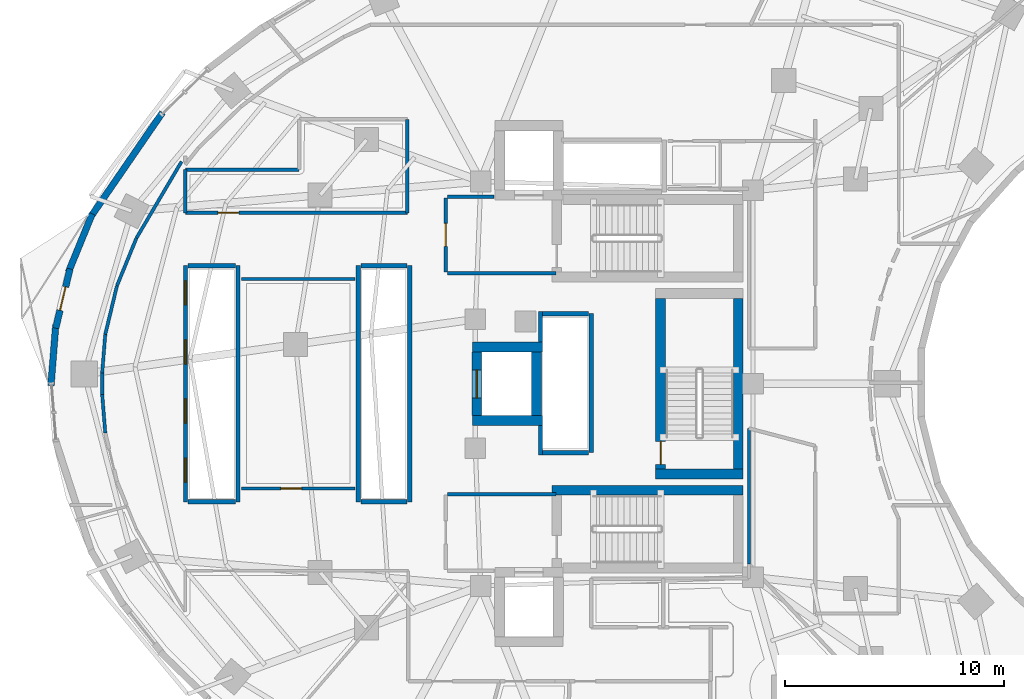
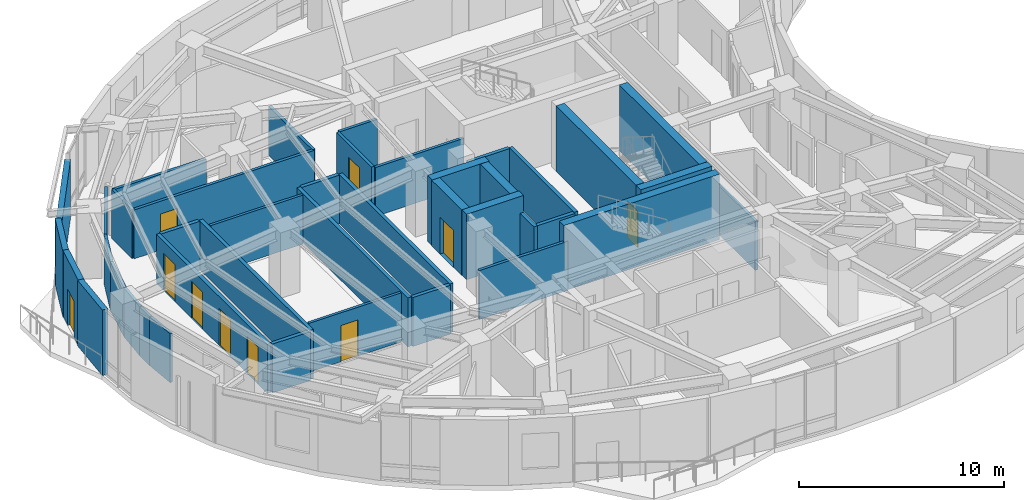
# One storey, part 9 of 15: 42 walls, 10 doors, 10 openings.
"""IFC4 building model written with IfcOpenShell, lengths in metres."""

from ifc_helpers import new_model, si_unit, direction, frame, frame_2d, origin, place, context, subcontext, project, spatial, rectangle, extrude, material, layer, layer_set, type_object, element, fill, save


model = new_model("IFC4")

# Units and contexts
model_context = context("Model", 3, precision=1e-05, world=origin(), true_north=direction((0.0, 1.0)))
body_context = subcontext(model_context, "Body", "Model", "MODEL_VIEW")
ifc_project = project(units=[si_unit("LENGTHUNIT", "METRE"), si_unit("AREAUNIT", "SQUARE_METRE"), si_unit("VOLUMEUNIT", "CUBIC_METRE"), si_unit("PLANEANGLEUNIT", "RADIAN"), si_unit("MASSUNIT", "GRAM", prefix="KILO")], contexts=[model_context])

# Site, building, storey
site_placement = place(None, origin())
site = spatial("IfcSite", under=ifc_project, at=site_placement, CompositionType="ELEMENT")
building_placement = place(site_placement, origin())
building = spatial("IfcBuilding", under=site, at=building_placement, Name="Korentha Bioscience Tower", CompositionType="ELEMENT")
storey_placement = place(building_placement, frame((0.0, 0.0, 111.0)))
storey = spatial("IfcBuildingStorey", under=building, at=storey_placement, Name="L25", CompositionType="ELEMENT", Elevation=111.0)

# Wall, opening, door
ifc_material_1 = material(Name="Double-Stud Acoustic Gypsum", Category="gypsum")
ifc_layer_1 = layer(ifc_material_1, 0.14990234375, Name="Double-Stud Acoustic Gypsum")
ifc_layer_set_1 = layer_set([ifc_layer_1], Name="Double-Stud Acoustic Gypsum (IW-L150)")
wall_type_1 = type_object("IfcWallType", Name="Acoustic Laboratory Partition Wall 150", PredefinedType="PARTITIONING", material=ifc_layer_set_1)
wall_1_placement = place(storey_placement, frame((19.340087890625, 22.2099609375, 0.0), z_axis=(0.0, 0.0, 1.0), x_axis=(-1.0, 0.0, 0.0)))
wall_1 = element("IfcWall", 1, at=wall_1_placement, inside=storey, type_object=wall_type_1, Name="L25 Mass-Spectrometry Analytical Suite 15 Entrance Wall", PredefinedType="PARTITIONING", context=body_context, shape_type="SweptSolid", body=[
    extrude(rectangle(XDim=5.18017578125, YDim=0.14990234375, at=frame_2d((2.590087890625, 0.0))), origin(), (0.0, 0.0, 1.0), 2.909912109375),
])
opening_1_placement = place(wall_1_placement, frame((2.430908203125, 0.0, 0.0)))
opening_1 = element("IfcOpeningElement", 2, at=opening_1_placement, cuts=wall_1, Name="Opening ID-10R", PredefinedType="OPENING", context=body_context, shape_type="SweptSolid", body=[
    extrude(rectangle(XDim=0.949951171875, YDim=2.14990234375, at=frame_2d((0.47509765625, 1.074951171875))), frame((0.0, 0.08984375, 0.0), z_axis=(0.0, -1.0, 0.0), x_axis=(1.0, 0.0, 0.0)), (0.0, 0.0, 1.0), 0.1796875),
])
ifc_material_2 = material(Name="Phenolic Laminate Timber Core", Category="wood")
door_type_1 = type_object("IfcDoorType", Name="Laboratory Single Leaf Door 950x2150 Right", OperationType="SINGLE_SWING_RIGHT", PredefinedType="DOOR", material=ifc_material_2)
door_1_placement = place(opening_1_placement, origin())
door_1 = element("IfcDoor", 3, at=door_1_placement, inside=storey, type_object=door_type_1, Name="L25 Mass-Spectrometry Analytical Suite 15 Door", OperationType="SINGLE_SWING_RIGHT", OverallHeight=2.14990234375, OverallWidth=0.949951171875, PredefinedType="DOOR", context=body_context, shape_type="SweptSolid", body=[
    extrude(rectangle(XDim=0.949951171875, YDim=2.14990234375, at=frame_2d((0.47509765625, 1.074951171875))), frame((0.0, 0.02490234375, 0.0), z_axis=(0.0, -1.0, 0.0), x_axis=(1.0, 0.0, 0.0)), (0.0, 0.0, 1.0), 0.050048828125),
])
fill(opening_1, door_1)

# Walls
wall_2_placement = place(storey_placement, frame((37.360107421875, 18.76416015625, 0.0), z_axis=(0.0, 0.0, 1.0), x_axis=(0.0, 1.0, 0.0)))
element("IfcWall", 4, at=wall_2_placement, inside=storey, type_object=wall_type_1, Name="L25 Interior Partition 046", PredefinedType="PARTITIONING", context=body_context, shape_type="SweptSolid", body=[
    extrude(rectangle(XDim=6.19384765625, YDim=0.14990234375, at=frame_2d((3.096923828125, 0.0))), origin(), (0.0, 0.0, 1.0), 2.909912109375),
])
wall_3_placement = place(storey_placement, frame((11.418701171875, 37.154296875, 0.0), z_axis=(0.0, 0.0, 1.0), x_axis=(-0.508183269016, -0.861248956511, 0.0)))
element("IfcWall", 5, at=wall_3_placement, inside=storey, type_object=wall_type_1, Name="L25 Interior Partition 078", PredefinedType="PARTITIONING", context=body_context, shape_type="SweptSolid", body=[
    extrude(rectangle(XDim=4.052734375, YDim=0.14990234375, at=frame_2d((2.0263671875, 0.0))), origin(), (0.0, 0.0, 1.0), 2.909912109375),
])
wall_4_placement = place(storey_placement, frame((9.3583984375, 33.66259765625, 0.0), z_axis=(0.0, 0.0, 1.0), x_axis=(-0.378306283753, -0.925680482495, 0.0)))
element("IfcWall", 6, at=wall_4_placement, inside=storey, type_object=wall_type_1, Name="L25 Interior Partition 079", PredefinedType="PARTITIONING", context=body_context, shape_type="SweptSolid", body=[
    extrude(rectangle(XDim=2.358154296875, YDim=0.14990234375, at=frame_2d((1.17919921875, 0.0))), origin(), (0.0, 0.0, 1.0), 2.909912109375),
])
wall_5_placement = place(storey_placement, frame((8.4658203125, 31.478515625, 0.0), z_axis=(0.0, 0.0, 1.0), x_axis=(-0.233675196412, -0.972314713754, 0.0)))
element("IfcWall", 7, at=wall_5_placement, inside=storey, type_object=wall_type_1, Name="L25 Interior Partition 080", PredefinedType="PARTITIONING", context=body_context, shape_type="SweptSolid", body=[
    extrude(rectangle(XDim=2.291259765625, YDim=0.14990234375, at=frame_2d((1.1455078125, 0.0))), origin(), (0.0, 0.0, 1.0), 2.909912109375),
])
wall_6_placement = place(storey_placement, frame((7.93017578125, 29.249267578125, 0.0), z_axis=(0.0, 0.0, 1.0), x_axis=(-0.079131522864, -0.996864184375, 0.0)))
element("IfcWall", 8, at=wall_6_placement, inside=storey, type_object=wall_type_1, Name="L25 Interior Partition 081", PredefinedType="PARTITIONING", context=body_context, shape_type="SweptSolid", body=[
    extrude(rectangle(XDim=1.77099609375, YDim=0.14990234375, at=frame_2d((0.885498046875, 0.0))), origin(), (0.0, 0.0, 1.0), 2.909912109375),
])
wall_7_placement = place(storey_placement, frame((7.7900390625, 27.48291015625, 0.0), z_axis=(0.0, 0.0, 1.0), x_axis=(0.0, -1.0, 0.0)))
element("IfcWall", 9, at=wall_7_placement, inside=storey, type_object=wall_type_1, Name="L25 Interior Partition 082", PredefinedType="PARTITIONING", context=body_context, shape_type="SweptSolid", body=[
    extrude(rectangle(XDim=0.9658203125, YDim=0.14990234375, at=frame_2d((0.48291015625, 0.0))), origin(), (0.0, 0.0, 1.0), 2.909912109375),
])
wall_8_placement = place(storey_placement, frame((7.7900390625, 26.51611328125, 0.0), z_axis=(0.0, 0.0, 1.0), x_axis=(0.079131522864, -0.996864184375, 0.0)))
element("IfcWall", 10, at=wall_8_placement, inside=storey, type_object=wall_type_1, Name="L25 Interior Partition 083", PredefinedType="PARTITIONING", context=body_context, shape_type="SweptSolid", body=[
    extrude(rectangle(XDim=1.77099609375, YDim=0.14990234375, at=frame_2d((0.885498046875, 0.0))), origin(), (0.0, 0.0, 1.0), 2.909912109375),
])
wall_9_placement = place(storey_placement, frame((14.159912109375, 31.7900390625, 0.0), z_axis=(0.0, 0.0, 1.0), x_axis=(1.0, 0.0, 0.0)))
element("IfcWall", 11, at=wall_9_placement, inside=storey, type_object=wall_type_1, Name="L25 Interior Partition 086", PredefinedType="PARTITIONING", context=body_context, shape_type="SweptSolid", body=[
    extrude(rectangle(XDim=5.18017578125, YDim=0.14990234375, at=frame_2d((2.590087890625, 0.0))), origin(), (0.0, 0.0, 1.0), 2.909912109375),
])

# Wall, opening, door
ifc_material_3 = material(Name="Gypsum-Clad Steel Stud", Category="steel")
ifc_layer_2 = layer(ifc_material_3, 0.159912109375, Name="Gypsum-Clad Steel Stud")
ifc_layer_set_2 = layer_set([ifc_layer_2], Name="Gypsum-Clad Steel Stud (IW-C160)")
wall_type_2 = type_object("IfcWallType", Name="Fire-Rated Corridor Partition Wall 160", PredefinedType="PARTITIONING", material=ifc_layer_set_2)
wall_10_placement = place(storey_placement, frame((23.5, 32.10009765625, 0.0), z_axis=(0.0, 0.0, 1.0), x_axis=(0.0, 1.0, 0.0)))
wall_10 = element("IfcWall", 12, at=wall_10_placement, inside=storey, type_object=wall_type_2, Name="L25 FFLN-CW Rated Enclosure Wall", PredefinedType="PARTITIONING", context=body_context, shape_type="SweptSolid", body=[
    extrude(rectangle(XDim=3.39990234375, YDim=0.159912109375, at=frame_2d((1.699951171875, 0.0))), origin(), (0.0, 0.0, 1.0), 2.909912109375),
])
opening_2_placement = place(wall_10_placement, frame((1.175048828125, 0.0, 0.0)))
opening_2 = element("IfcOpeningElement", 13, at=opening_2_placement, cuts=wall_10, Name="Opening FD-90R", PredefinedType="OPENING", context=body_context, shape_type="SweptSolid", body=[
    extrude(rectangle(XDim=1.050048828125, YDim=2.14990234375, at=frame_2d((0.52490234375, 1.074951171875))), frame((0.0, 0.0947265625, 0.0), z_axis=(0.0, -1.0, 0.0), x_axis=(1.0, 0.0, 0.0)), (0.0, 0.0, 1.0), 0.189697265625),
])
ifc_material_4 = material(Name="Powder-Coated Fire-Rated Steel", Category="steel")
door_type_2 = type_object("IfcDoorType", Name="Stairwell Fire Exit Door 1050x2150 Right", OperationType="SINGLE_SWING_RIGHT", PredefinedType="DOOR", material=ifc_material_4)
door_2_placement = place(opening_2_placement, origin())
door_2 = element("IfcDoor", 14, at=door_2_placement, inside=storey, type_object=door_type_2, Name="L25 North Firefighting Lobby Door", OperationType="SINGLE_SWING_RIGHT", OverallHeight=2.14990234375, OverallWidth=1.050048828125, PredefinedType="DOOR", context=body_context, shape_type="SweptSolid", body=[
    extrude(rectangle(XDim=1.050048828125, YDim=2.14990234375, at=frame_2d((0.52490234375, 1.074951171875))), frame((0.0, 0.02490234375, 0.0), z_axis=(0.0, -1.0, 0.0), x_axis=(1.0, 0.0, 0.0)), (0.0, 0.0, 1.0), 0.050048828125),
])
fill(opening_2, door_2)

# Walls
wall_11_placement = place(storey_placement, frame((23.580078125, 32.050048828125, 0.0), z_axis=(0.0, 0.0, 1.0), x_axis=(1.0, 0.0, 0.0)))
element("IfcWall", 15, at=wall_11_placement, inside=storey, type_object=wall_type_2, Name="L25 Firefighting Lobby Return Wall FFLN-S", PredefinedType="PARTITIONING", context=body_context, shape_type="SweptSolid", body=[
    extrude(rectangle(XDim=4.969970703125, YDim=0.159912109375, at=frame_2d((2.48486328125, 0.0))), origin(), (0.0, 0.0, 1.0), 2.909912109375),
])
wall_12_placement = place(storey_placement, frame((23.580078125, 35.550048828125, 0.0), z_axis=(0.0, 0.0, 1.0), x_axis=(1.0, 0.0, 0.0)))
element("IfcWall", 16, at=wall_12_placement, inside=storey, type_object=wall_type_2, Name="L25 Firefighting Lobby Return Wall FFLN-N", PredefinedType="PARTITIONING", context=body_context, shape_type="SweptSolid", body=[
    extrude(rectangle(XDim=2.119873046875, YDim=0.159912109375, at=frame_2d((1.06005859375, 0.0))), origin(), (0.0, 0.0, 1.0), 2.909912109375),
])
wall_13_placement = place(storey_placement, frame((23.580078125, 21.949951171875, 0.0), z_axis=(0.0, 0.0, 1.0), x_axis=(1.0, 0.0, 0.0)))
element("IfcWall", 17, at=wall_13_placement, inside=storey, type_object=wall_type_2, Name="L25 Firefighting Lobby Return Wall FFLS-N", PredefinedType="PARTITIONING", context=body_context, shape_type="SweptSolid", body=[
    extrude(rectangle(XDim=4.969970703125, YDim=0.159912109375, at=frame_2d((2.48486328125, 0.0))), origin(), (0.0, 0.0, 1.0), 2.909912109375),
])

# Wall, opening, door
wall_14_placement = place(storey_placement, frame((21.739990234375, 34.81005859375, 0.0), z_axis=(0.0, 0.0, 1.0), x_axis=(-1.0, 0.0, 0.0)))
wall_14 = element("IfcWall", 18, at=wall_14_placement, inside=storey, type_object=wall_type_2, Name="L25 Consumables Archive Room 13 Entrance Wall", PredefinedType="PARTITIONING", context=body_context, shape_type="SweptSolid", body=[
    extrude(rectangle(XDim=10.14990234375, YDim=0.159912109375, at=frame_2d((5.074951171875, 0.0))), origin(), (0.0, 0.0, 1.0), 2.909912109375),
])
opening_3_placement = place(wall_14_placement, frame((7.705322265625, 0.0, 0.0)))
opening_3 = element("IfcOpeningElement", 19, at=opening_3_placement, cuts=wall_14, Name="Opening ID-10R", PredefinedType="OPENING", context=body_context, shape_type="SweptSolid", body=[
    extrude(rectangle(XDim=0.949951171875, YDim=2.14990234375, at=frame_2d((0.47509765625, 1.074951171875))), frame((0.0, 0.0947265625, 0.0), z_axis=(0.0, -1.0, 0.0), x_axis=(1.0, 0.0, 0.0)), (0.0, 0.0, 1.0), 0.189697265625),
])
door_3_placement = place(opening_3_placement, origin())
door_3 = element("IfcDoor", 20, at=door_3_placement, inside=storey, type_object=door_type_1, Name="L25 Consumables Archive Room 13 Door", OperationType="SINGLE_SWING_RIGHT", OverallHeight=2.14990234375, OverallWidth=0.949951171875, PredefinedType="DOOR", context=body_context, shape_type="SweptSolid", body=[
    extrude(rectangle(XDim=0.949951171875, YDim=2.14990234375, at=frame_2d((0.47509765625, 1.074951171875))), frame((0.0, 0.02490234375, 0.0), z_axis=(0.0, -1.0, 0.0), x_axis=(1.0, 0.0, 0.0)), (0.0, 0.0, 1.0), 0.050048828125),
])
fill(opening_3, door_3)

# Walls
wall_15_placement = place(storey_placement, frame((11.590087890625, 36.7900390625, 0.0), z_axis=(0.0, 0.0, 1.0), x_axis=(1.0, 0.0, 0.0)))
element("IfcWall", 21, at=wall_15_placement, inside=storey, type_object=wall_type_2, Name="L25 Interior Partition 068", PredefinedType="PARTITIONING", context=body_context, shape_type="SweptSolid", body=[
    extrude(rectangle(XDim=5.2099609375, YDim=0.159912109375, at=frame_2d((2.60498046875, 0.0))), origin(), (0.0, 0.0, 1.0), 2.909912109375),
])
wall_16_placement = place(storey_placement, frame((21.739990234375, 39.090087890625, 0.0), z_axis=(0.0, 0.0, 1.0), x_axis=(0.0, -1.0, 0.0)))
element("IfcWall", 22, at=wall_16_placement, inside=storey, type_object=wall_type_2, Name="L25 Interior Partition 071", PredefinedType="PARTITIONING", context=body_context, shape_type="SweptSolid", body=[
    extrude(rectangle(XDim=4.280029296875, YDim=0.159912109375, at=frame_2d((2.14013671875, 0.0))), origin(), (0.0, 0.0, 1.0), 2.909912109375),
])
wall_17_placement = place(storey_placement, frame((11.590087890625, 34.81005859375, 0.0), z_axis=(0.0, 0.0, 1.0), x_axis=(0.0, 1.0, 0.0)))
element("IfcWall", 23, at=wall_17_placement, inside=storey, type_object=wall_type_2, Name="L25 Interior Partition 072", PredefinedType="PARTITIONING", context=body_context, shape_type="SweptSolid", body=[
    extrude(rectangle(XDim=1.97998046875, YDim=0.159912109375, at=frame_2d((0.989990234375, 0.0))), origin(), (0.0, 0.0, 1.0), 2.909912109375),
])

# Wall, opening, door
ifc_material_5 = material(Name="Honed Limestone Precast Concrete C40", Category="masonry")
ifc_layer_3 = layer(ifc_material_5, 0.300048828125, Name="Honed Limestone Precast Concrete C40")
ifc_layer_set_3 = layer_set([ifc_layer_3], Name="Honed Limestone Precast Concrete C40 (EW-ST300)")
wall_type_3 = type_object("IfcWallType", Name="Honed Limestone Cavity Spandrel Wall 300", PredefinedType="STANDARD", material=ifc_layer_set_3)
wall_18_placement = place(storey_placement, frame((6.316162109375, 32.248046875, 0.0), z_axis=(0.0, 0.0, 1.0), x_axis=(-0.233687533313, -0.972311748759, 0.0)))
wall_18 = element("IfcWall", 24, at=wall_18_placement, inside=storey, type_object=wall_type_3, Name="L25 Balcony Threshold Wall 02", PredefinedType="STANDARD", context=body_context, shape_type="SweptSolid", body=[
    extrude(rectangle(XDim=2.788330078125, YDim=0.300048828125, at=frame_2d((1.39404296875, 0.0))), origin(), (0.0, 0.0, 1.0), 3.89990234375),
])
opening_4_placement = place(wall_18_placement, frame((0.84423828125, 0.0, 0.0)))
opening_4 = element("IfcOpeningElement", 25, at=opening_4_placement, cuts=wall_18, Name="Opening BD-11R", PredefinedType="OPENING", context=body_context, shape_type="SweptSolid", body=[
    extrude(rectangle(XDim=1.10009765625, YDim=2.14990234375, at=frame_2d((0.550048828125, 1.074951171875))), frame((0.0, 0.1650390625, 0.0), z_axis=(0.0, -1.0, 0.0), x_axis=(1.0, 0.0, 0.0)), (0.0, 0.0, 1.0), 0.329833984375),
])
ifc_material_6 = material(Name="Thermally Broken Glazed Aluminium", Category="aluminium")
door_type_3 = type_object("IfcDoorType", Name="Balcony Terrace Glazed Door 1100x2150 Right", OperationType="SINGLE_SWING_RIGHT", PredefinedType="DOOR", material=ifc_material_6)
door_4_placement = place(opening_4_placement, origin())
door_4 = element("IfcDoor", 26, at=door_4_placement, inside=storey, type_object=door_type_3, Name="L25 Balcony Access Door 02", OperationType="SINGLE_SWING_RIGHT", OverallHeight=2.14990234375, OverallWidth=1.10009765625, PredefinedType="DOOR", context=body_context, shape_type="SweptSolid", body=[
    extrude(rectangle(XDim=1.10009765625, YDim=2.14990234375, at=frame_2d((0.550048828125, 1.074951171875))), frame((0.0, 0.02490234375, 0.0), z_axis=(0.0, -1.0, 0.0), x_axis=(1.0, 0.0, 0.0)), (0.0, 0.0, 1.0), 0.050048828125),
])
fill(opening_4, door_4)

# Walls
wall_19_placement = place(storey_placement, frame((10.54833984375, 39.400390625, 0.0), z_axis=(0.0, 0.0, 1.0), x_axis=(-0.566825798999, -0.823837674296, 0.0)))
element("IfcWall", 27, at=wall_19_placement, inside=storey, type_object=wall_type_3, Name="L25 Limestone Perimeter Closure Wall 14", PredefinedType="STANDARD", context=body_context, shape_type="SweptSolid", body=[
    extrude(rectangle(XDim=5.825927734375, YDim=0.300048828125, at=frame_2d((2.9130859375, 0.0))), origin(), (0.0, 0.0, 1.0), 3.469970703125),
])
wall_20_placement = place(storey_placement, frame((7.336181640625, 34.76708984375, 0.0), z_axis=(0.0, 0.0, 1.0), x_axis=(-0.378421675944, -0.925633315722, 0.0)))
element("IfcWall", 28, at=wall_20_placement, inside=storey, type_object=wall_type_3, Name="L25 Limestone Perimeter Closure Wall 16", PredefinedType="STANDARD", context=body_context, shape_type="SweptSolid", body=[
    extrude(rectangle(XDim=2.88134765625, YDim=0.300048828125, at=frame_2d((1.440673828125, 0.0))), origin(), (0.0, 0.0, 1.0), 3.89990234375),
])
wall_21_placement = place(storey_placement, frame((5.668701171875, 29.701171875, 0.0), z_axis=(0.0, 0.0, 1.0), x_axis=(-0.079062676622, -0.996869647028, 0.0)))
element("IfcWall", 29, at=wall_21_placement, inside=storey, type_object=wall_type_3, Name="L25 Limestone Perimeter Closure Wall 18", PredefinedType="STANDARD", context=body_context, shape_type="SweptSolid", body=[
    extrude(rectangle(XDim=2.80078125, YDim=0.300048828125, at=frame_2d((1.400390625, 0.0))), origin(), (0.0, 0.0, 1.0), 3.89990234375),
])

# Wall, openings, doors
ifc_material_7 = material(Name="Autoclaved Aerated Concrete Block C25", Category="concrete")
ifc_layer_4 = layer(ifc_material_7, 0.199951171875, Name="Autoclaved Aerated Concrete Block C25")
ifc_layer_set_4 = layer_set([ifc_layer_4], Name="Autoclaved Aerated Concrete Block C25 (IW-S200)")
wall_type_4 = type_object("IfcWallType", Name="Lift and Riser Shaft Enclosure Wall 200", PredefinedType="PARTITIONING", material=ifc_layer_set_4)
wall_22_placement = place(storey_placement, frame((11.60009765625, 21.60009765625, 0.0), z_axis=(0.0, 0.0, 1.0), x_axis=(0.0, 1.0, 0.0)))
wall_22 = element("IfcWall", 30, at=wall_22_placement, inside=storey, type_object=wall_type_4, Name="L25 Lift Bank LOW Shaft Wall -X", PredefinedType="PARTITIONING", context=body_context, shape_type="SweptSolid", body=[
    extrude(rectangle(XDim=10.7998046875, YDim=0.199951171875, at=frame_2d((5.39990234375, 0.0))), origin(), (0.0, 0.0, 1.0), 2.909912109375),
])
opening_5_placement = place(wall_22_placement, frame((0.89990234375, 0.0, 0.0)))
opening_5 = element("IfcOpeningElement", 31, at=opening_5_placement, cuts=wall_22, Name="Opening LD-11", PredefinedType="OPENING", context=body_context, shape_type="SweptSolid", body=[
    extrude(rectangle(XDim=1.10009765625, YDim=2.199951171875, at=frame_2d((0.550048828125, 1.10009765625))), frame((0.0, 0.11474609375, 0.0), z_axis=(0.0, -1.0, 0.0), x_axis=(1.0, 0.0, 0.0)), (0.0, 0.0, 1.0), 0.229736328125),
])
opening_6_placement = place(wall_22_placement, frame((3.60009765625, 0.0, 0.0)))
opening_6 = element("IfcOpeningElement", 32, at=opening_6_placement, cuts=wall_22, Name="Opening LD-11", PredefinedType="OPENING", context=body_context, shape_type="SweptSolid", body=[
    extrude(rectangle(XDim=1.10009765625, YDim=2.199951171875, at=frame_2d((0.550048828125, 1.10009765625))), frame((0.0, 0.11474609375, 0.0), z_axis=(0.0, -1.0, 0.0), x_axis=(1.0, 0.0, 0.0)), (0.0, 0.0, 1.0), 0.229736328125),
])
opening_7_placement = place(wall_22_placement, frame((6.300048828125, 0.0, 0.0)))
opening_7 = element("IfcOpeningElement", 33, at=opening_7_placement, cuts=wall_22, Name="Opening LD-11", PredefinedType="OPENING", context=body_context, shape_type="SweptSolid", body=[
    extrude(rectangle(XDim=1.10009765625, YDim=2.199951171875, at=frame_2d((0.550048828125, 1.10009765625))), frame((0.0, 0.11474609375, 0.0), z_axis=(0.0, -1.0, 0.0), x_axis=(1.0, 0.0, 0.0)), (0.0, 0.0, 1.0), 0.229736328125),
])
opening_8_placement = place(wall_22_placement, frame((9.0, 0.0, 0.0)))
opening_8 = element("IfcOpeningElement", 34, at=opening_8_placement, cuts=wall_22, Name="Opening LD-11", PredefinedType="OPENING", context=body_context, shape_type="SweptSolid", body=[
    extrude(rectangle(XDim=1.10009765625, YDim=2.199951171875, at=frame_2d((0.550048828125, 1.10009765625))), frame((0.0, 0.11474609375, 0.0), z_axis=(0.0, -1.0, 0.0), x_axis=(1.0, 0.0, 0.0)), (0.0, 0.0, 1.0), 0.229736328125),
])
ifc_material_8 = material(Name="Brushed Stainless Steel 304", Category="steel")
door_type_4 = type_object("IfcDoorType", Name="Passenger Lift Sliding Landing Door 1100x2200", OperationType="DOUBLE_DOOR_SLIDING", PredefinedType="DOOR", material=ifc_material_8)
door_5_placement = place(opening_5_placement, origin())
door_5 = element("IfcDoor", 35, at=door_5_placement, inside=storey, type_object=door_type_4, Name="L25 PL-L1 Sliding Lift Landing Door", OperationType="DOUBLE_DOOR_SLIDING", OverallHeight=2.199951171875, OverallWidth=1.10009765625, PredefinedType="DOOR", context=body_context, shape_type="SweptSolid", body=[
    extrude(rectangle(XDim=1.10009765625, YDim=2.199951171875, at=frame_2d((0.550048828125, 1.10009765625))), frame((0.0, 0.02490234375, 0.0), z_axis=(0.0, -1.0, 0.0), x_axis=(1.0, 0.0, 0.0)), (0.0, 0.0, 1.0), 0.050048828125),
])
fill(opening_5, door_5)
door_6_placement = place(opening_6_placement, origin())
door_6 = element("IfcDoor", 36, at=door_6_placement, inside=storey, type_object=door_type_4, Name="L25 PL-L2 Sliding Lift Landing Door", OperationType="DOUBLE_DOOR_SLIDING", OverallHeight=2.199951171875, OverallWidth=1.10009765625, PredefinedType="DOOR", context=body_context, shape_type="SweptSolid", body=[
    extrude(rectangle(XDim=1.10009765625, YDim=2.199951171875, at=frame_2d((0.550048828125, 1.10009765625))), frame((0.0, 0.02490234375, 0.0), z_axis=(0.0, -1.0, 0.0), x_axis=(1.0, 0.0, 0.0)), (0.0, 0.0, 1.0), 0.050048828125),
])
fill(opening_6, door_6)
door_7_placement = place(opening_7_placement, origin())
door_7 = element("IfcDoor", 37, at=door_7_placement, inside=storey, type_object=door_type_4, Name="L25 PL-L3 Sliding Lift Landing Door", OperationType="DOUBLE_DOOR_SLIDING", OverallHeight=2.199951171875, OverallWidth=1.10009765625, PredefinedType="DOOR", context=body_context, shape_type="SweptSolid", body=[
    extrude(rectangle(XDim=1.10009765625, YDim=2.199951171875, at=frame_2d((0.550048828125, 1.10009765625))), frame((0.0, 0.02490234375, 0.0), z_axis=(0.0, -1.0, 0.0), x_axis=(1.0, 0.0, 0.0)), (0.0, 0.0, 1.0), 0.050048828125),
])
fill(opening_7, door_7)
door_8_placement = place(opening_8_placement, origin())
door_8 = element("IfcDoor", 38, at=door_8_placement, inside=storey, type_object=door_type_4, Name="L25 PL-L4 Sliding Lift Landing Door", OperationType="DOUBLE_DOOR_SLIDING", OverallHeight=2.199951171875, OverallWidth=1.10009765625, PredefinedType="DOOR", context=body_context, shape_type="SweptSolid", body=[
    extrude(rectangle(XDim=1.10009765625, YDim=2.199951171875, at=frame_2d((0.550048828125, 1.10009765625))), frame((0.0, 0.02490234375, 0.0), z_axis=(0.0, -1.0, 0.0), x_axis=(1.0, 0.0, 0.0)), (0.0, 0.0, 1.0), 0.050048828125),
])
fill(opening_8, door_8)

# Walls
wall_23_placement = place(storey_placement, frame((14.0, 21.60009765625, 0.0), z_axis=(0.0, 0.0, 1.0), x_axis=(0.0, 1.0, 0.0)))
element("IfcWall", 39, at=wall_23_placement, inside=storey, type_object=wall_type_4, Name="L25 Lift Bank LOW Shaft Wall +X", PredefinedType="PARTITIONING", context=body_context, shape_type="SweptSolid", body=[
    extrude(rectangle(XDim=10.7998046875, YDim=0.199951171875, at=frame_2d((5.39990234375, 0.0))), origin(), (0.0, 0.0, 1.0), 2.909912109375),
])
for number, where, z_axis, x_axis, name in (
    (40, (11.719970703125, 21.60009765625, 0.0), (0.0, 0.0, 1.0), (1.0, 0.0, 0.0), "L25 Lift Bank LOW Shaft Wall -Y"),
    (41, (11.719970703125, 32.39990234375, 0.0), (0.0, 0.0, 1.0), (1.0, 0.0, 0.0), "L25 Lift Bank LOW Shaft Wall +Y"),
):
    element("IfcWall", number, at=place(storey_placement, frame(where, z_axis=z_axis, x_axis=x_axis)), inside=storey, type_object=wall_type_4, Name=name, PredefinedType="PARTITIONING", context=body_context, shape_type="SweptSolid", body=[
        extrude(rectangle(XDim=2.159912109375, YDim=0.199951171875, at=frame_2d((1.080078125, 0.0))), origin(), (0.0, 0.0, 1.0), 2.909912109375),
    ])
for number, where, z_axis, x_axis, name in (
    (42, (19.5, 21.60009765625, 0.0), (0.0, 0.0, 1.0), (0.0, 1.0, 0.0), "L25 Lift Bank MID Shaft Wall -X"),
    (43, (21.85009765625, 21.60009765625, 0.0), (0.0, 0.0, 1.0), (0.0, 1.0, 0.0), "L25 Lift Bank MID Shaft Wall +X"),
):
    element("IfcWall", number, at=place(storey_placement, frame(where, z_axis=z_axis, x_axis=x_axis)), inside=storey, type_object=wall_type_4, Name=name, PredefinedType="PARTITIONING", context=body_context, shape_type="SweptSolid", body=[
        extrude(rectangle(XDim=10.7998046875, YDim=0.199951171875, at=frame_2d((5.39990234375, 0.0))), origin(), (0.0, 0.0, 1.0), 2.909912109375),
    ])
for number, where, z_axis, x_axis, name in (
    (44, (19.6201171875, 21.60009765625, 0.0), (0.0, 0.0, 1.0), (1.0, 0.0, 0.0), "L25 Lift Bank MID Shaft Wall -Y"),
    (45, (19.6201171875, 32.39990234375, 0.0), (0.0, 0.0, 1.0), (1.0, 0.0, 0.0), "L25 Lift Bank MID Shaft Wall +Y"),
):
    element("IfcWall", number, at=place(storey_placement, frame(where, z_axis=z_axis, x_axis=x_axis)), inside=storey, type_object=wall_type_4, Name=name, PredefinedType="PARTITIONING", context=body_context, shape_type="SweptSolid", body=[
        extrude(rectangle(XDim=2.10986328125, YDim=0.199951171875, at=frame_2d((1.054931640625, 0.0))), origin(), (0.0, 0.0, 1.0), 2.909912109375),
    ])
wall_24_placement = place(storey_placement, frame((27.830078125, 23.75, 0.0), z_axis=(0.0, 0.0, 1.0), x_axis=(0.0, 1.0, 0.0)))
element("IfcWall", 46, at=wall_24_placement, inside=storey, type_object=wall_type_4, Name="L25 Lift Bank HIGH Shaft Wall -XS", PredefinedType="PARTITIONING", context=body_context, shape_type="SweptSolid", body=[
    extrude(rectangle(XDim=1.341064453125, YDim=0.199951171875, at=frame_2d((0.67041015625, 0.0))), origin(), (0.0, 0.0, 1.0), 2.909912109375),
])
wall_25_placement = place(storey_placement, frame((27.830078125, 28.908935546875, 0.0), z_axis=(0.0, 0.0, 1.0), x_axis=(0.0, 1.0, 0.0)))
element("IfcWall", 47, at=wall_25_placement, inside=storey, type_object=wall_type_4, Name="L25 Lift Bank HIGH Shaft Wall -XN", PredefinedType="PARTITIONING", context=body_context, shape_type="SweptSolid", body=[
    extrude(rectangle(XDim=1.39111328125, YDim=0.199951171875, at=frame_2d((0.695556640625, 0.0))), origin(), (0.0, 0.0, 1.0), 2.909912109375),
])
wall_26_placement = place(storey_placement, frame((30.14990234375, 23.85009765625, 0.0), z_axis=(0.0, 0.0, 1.0), x_axis=(0.0, 1.0, 0.0)))
element("IfcWall", 48, at=wall_26_placement, inside=storey, type_object=wall_type_4, Name="L25 Lift Bank HIGH Shaft Wall +X", PredefinedType="PARTITIONING", context=body_context, shape_type="SweptSolid", body=[
    extrude(rectangle(XDim=6.349853515625, YDim=0.199951171875, at=frame_2d((3.1748046875, 0.0))), origin(), (0.0, 0.0, 1.0), 2.909912109375),
])
for number, where, z_axis, x_axis, name in (
    (49, (27.93408203125, 23.85009765625, 0.0), (0.0, 0.0, 1.0), (1.0, 0.0, 0.0), "L25 Lift Bank HIGH Shaft Wall -Y"),
    (50, (27.93408203125, 30.199951171875, 0.0), (0.0, 0.0, 1.0), (1.0, 0.0, 0.0), "L25 Lift Bank HIGH Shaft Wall +Y"),
):
    element("IfcWall", number, at=place(storey_placement, frame(where, z_axis=z_axis, x_axis=x_axis)), inside=storey, type_object=wall_type_4, Name=name, PredefinedType="PARTITIONING", context=body_context, shape_type="SweptSolid", body=[
        extrude(rectangle(XDim=2.095947265625, YDim=0.199951171875, at=frame_2d((1.0478515625, 0.0))), origin(), (0.0, 0.0, 1.0), 2.909912109375),
    ])
ifc_material_9 = material(Name="Concrete C80", Category="concrete")
ifc_layer_5 = layer(ifc_material_9, 0.449951171875, Name="Concrete C80")
ifc_layer_set_5 = layer_set([ifc_layer_5], Name="Concrete C80 (CW-C80)")
wall_type_5 = type_object("IfcWallType", Name="Lower Core Shear Wall 450", PredefinedType="SHEAR", material=ifc_layer_set_5)
wall_27_placement = place(storey_placement, frame((28.35009765625, 22.125, 0.0), z_axis=(0.0, 0.0, 1.0), x_axis=(1.0, 0.0, 0.0)))
element("IfcWall", 51, at=wall_27_placement, inside=storey, type_object=wall_type_5, Name="L25 Core Shear Wall ST2-N", PredefinedType="SHEAR", context=body_context, shape_type="SweptSolid", body=[
    extrude(rectangle(XDim=8.75, YDim=0.449951171875, at=frame_2d((4.375, 0.0))), origin(), (0.0, 0.0, 1.0), 3.89990234375),
])
wall_28_placement = place(storey_placement, frame((33.10009765625, 22.875, 0.0), z_axis=(0.0, 0.0, 1.0), x_axis=(1.0, 0.0, 0.0)))
element("IfcWall", 52, at=wall_28_placement, inside=storey, type_object=wall_type_5, Name="L25 Core Shear Wall ST3-S", PredefinedType="SHEAR", context=body_context, shape_type="SweptSolid", body=[
    extrude(rectangle(XDim=4.0, YDim=0.449951171875, at=frame_2d((2.0, 0.0))), origin(), (0.0, 0.0, 1.0), 3.89990234375),
])
wall_29_placement = place(storey_placement, frame((36.875, 23.110107421875, 0.0), z_axis=(0.0, 0.0, 1.0), x_axis=(0.0, 1.0, 0.0)))
element("IfcWall", 53, at=wall_29_placement, inside=storey, type_object=wall_type_5, Name="L25 Core Shear Wall ST3-E", PredefinedType="SHEAR", context=body_context, shape_type="SweptSolid", body=[
    extrude(rectangle(XDim=7.77978515625, YDim=0.449951171875, at=frame_2d((3.889892578125, 0.0))), origin(), (0.0, 0.0, 1.0), 3.89990234375),
])

# Wall, opening, door
wall_30_placement = place(storey_placement, frame((33.324951171875, 23.110107421875, 0.0), z_axis=(0.0, 0.0, 1.0), x_axis=(0.0, 1.0, 0.0)))
wall_30 = element("IfcWall", 54, at=wall_30_placement, inside=storey, type_object=wall_type_5, Name="L25 Core Shear Wall ST3-W", PredefinedType="SHEAR", context=body_context, shape_type="SweptSolid", body=[
    extrude(rectangle(XDim=7.77978515625, YDim=0.449951171875, at=frame_2d((3.889892578125, 0.0))), origin(), (0.0, 0.0, 1.0), 3.89990234375),
])
opening_9_placement = place(wall_30_placement, frame((0.199951171875, 0.0, 0.0)))
opening_9 = element("IfcOpeningElement", 55, at=opening_9_placement, cuts=wall_30, Name="Opening FD-90R", PredefinedType="OPENING", context=body_context, shape_type="SweptSolid", body=[
    extrude(rectangle(XDim=1.050048828125, YDim=2.14990234375, at=frame_2d((0.52490234375, 1.074951171875))), frame((0.0, 0.23974609375, 0.0), z_axis=(0.0, -1.0, 0.0), x_axis=(1.0, 0.0, 0.0)), (0.0, 0.0, 1.0), 0.479736328125),
])
door_9_placement = place(opening_9_placement, origin())
door_9 = element("IfcDoor", 56, at=door_9_placement, inside=storey, type_object=door_type_2, Name="L25 ST-3 Fire Exit Stair Door", OperationType="SINGLE_SWING_RIGHT", OverallHeight=2.14990234375, OverallWidth=1.050048828125, PredefinedType="DOOR", context=body_context, shape_type="SweptSolid", body=[
    extrude(rectangle(XDim=1.050048828125, YDim=2.14990234375, at=frame_2d((0.52490234375, 1.074951171875))), frame((0.0, 0.02490234375, 0.0), z_axis=(0.0, -1.0, 0.0), x_axis=(1.0, 0.0, 0.0)), (0.0, 0.0, 1.0), 0.050048828125),
])
fill(opening_9, door_9)

# Walls
for number, where, z_axis, x_axis, name in (
    (57, (24.719970703125, 28.679931640625, 0.0), (0.0, 0.0, 1.0), (1.0, 0.0, 0.0), "L25 Core Shear Wall SVL1-N"),
    (58, (24.719970703125, 25.320068359375, 0.0), (0.0, 0.0, 1.0), (1.0, 0.0, 0.0), "L25 Core Shear Wall SVL1-S"),
):
    element("IfcWall", number, at=place(storey_placement, frame(where, z_axis=z_axis, x_axis=x_axis)), inside=storey, type_object=wall_type_5, Name=name, PredefinedType="SHEAR", context=body_context, shape_type="SweptSolid", body=[
        extrude(rectangle(XDim=3.2099609375, YDim=0.449951171875, at=frame_2d((1.60498046875, 0.0))), origin(), (0.0, 0.0, 1.0), 3.89990234375),
    ])

# Wall, opening, door
wall_31_placement = place(storey_placement, frame((24.919921875, 25.547119140625, 0.0), z_axis=(0.0, 0.0, 1.0), x_axis=(0.0, 1.0, 0.0)))
wall_31 = element("IfcWall", 59, at=wall_31_placement, inside=storey, type_object=wall_type_5, Name="L25 Core Shear Wall SVL1-W", PredefinedType="SHEAR", context=body_context, shape_type="SweptSolid", body=[
    extrude(rectangle(XDim=2.90576171875, YDim=0.449951171875, at=frame_2d((1.452880859375, 0.0))), origin(), (0.0, 0.0, 1.0), 3.89990234375),
])
opening_10_placement = place(wall_31_placement, frame((0.7900390625, 0.0, 0.0)))
opening_10 = element("IfcOpeningElement", 60, at=opening_10_placement, cuts=wall_31, Name="Opening LD-13", PredefinedType="OPENING", context=body_context, shape_type="SweptSolid", body=[
    extrude(rectangle(XDim=1.300048828125, YDim=2.199951171875, at=frame_2d((0.64990234375, 1.10009765625))), frame((0.0, 0.23974609375, 0.0), z_axis=(0.0, -1.0, 0.0), x_axis=(1.0, 0.0, 0.0)), (0.0, 0.0, 1.0), 0.479736328125),
])
ifc_material_10 = material(Name="Brushed Stainless Steel 316", Category="steel")
door_type_5 = type_object("IfcDoorType", Name="Service & Firefighting Lift Landing Door 1300x2300", OperationType="DOUBLE_DOOR_SLIDING", PredefinedType="DOOR", material=ifc_material_10)
door_10_placement = place(opening_10_placement, origin())
door_10 = element("IfcDoor", 61, at=door_10_placement, inside=storey, type_object=door_type_5, Name="L25 SVL-1 Sliding Lift Landing Door", OperationType="DOUBLE_DOOR_SLIDING", OverallHeight=2.199951171875, OverallWidth=1.300048828125, PredefinedType="DOOR", context=body_context, shape_type="SweptSolid", body=[
    extrude(rectangle(XDim=1.300048828125, YDim=2.199951171875, at=frame_2d((0.64990234375, 1.10009765625))), frame((0.0, 0.02490234375, 0.0), z_axis=(0.0, -1.0, 0.0), x_axis=(1.0, 0.0, 0.0)), (0.0, 0.0, 1.0), 0.050048828125),
])
fill(opening_10, door_10)

# Wall
wall_32_placement = place(storey_placement, frame((27.64990234375, 25.547119140625, 0.0), z_axis=(0.0, 0.0, 1.0), x_axis=(0.0, 1.0, 0.0)))
element("IfcWall", 62, at=wall_32_placement, inside=storey, type_object=wall_type_5, Name="L25 Core Shear Wall SVL1-E", PredefinedType="SHEAR", context=body_context, shape_type="SweptSolid", body=[
    extrude(rectangle(XDim=2.90576171875, YDim=0.449951171875, at=frame_2d((1.452880859375, 0.0))), origin(), (0.0, 0.0, 1.0), 3.89990234375),
])

save(model, "model.ifc")
